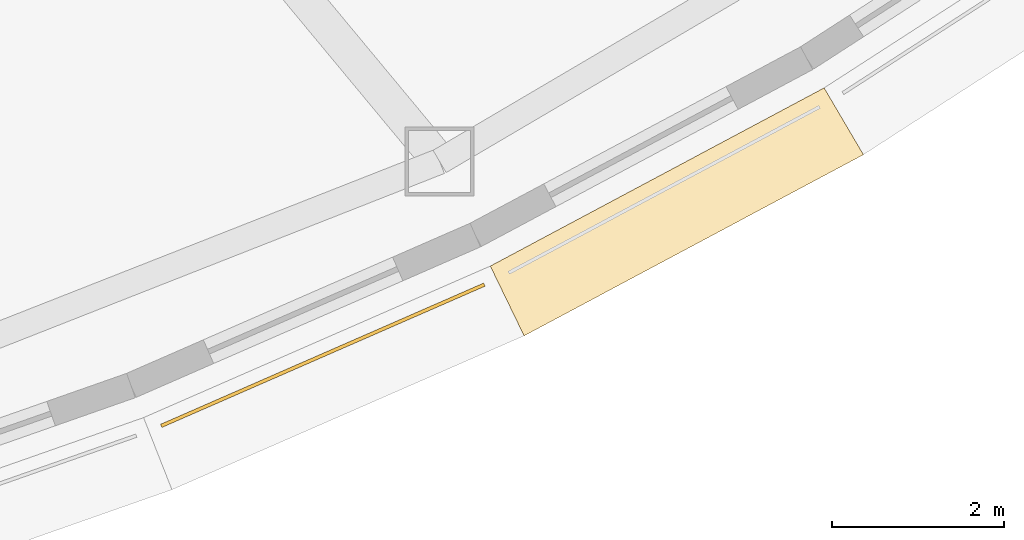
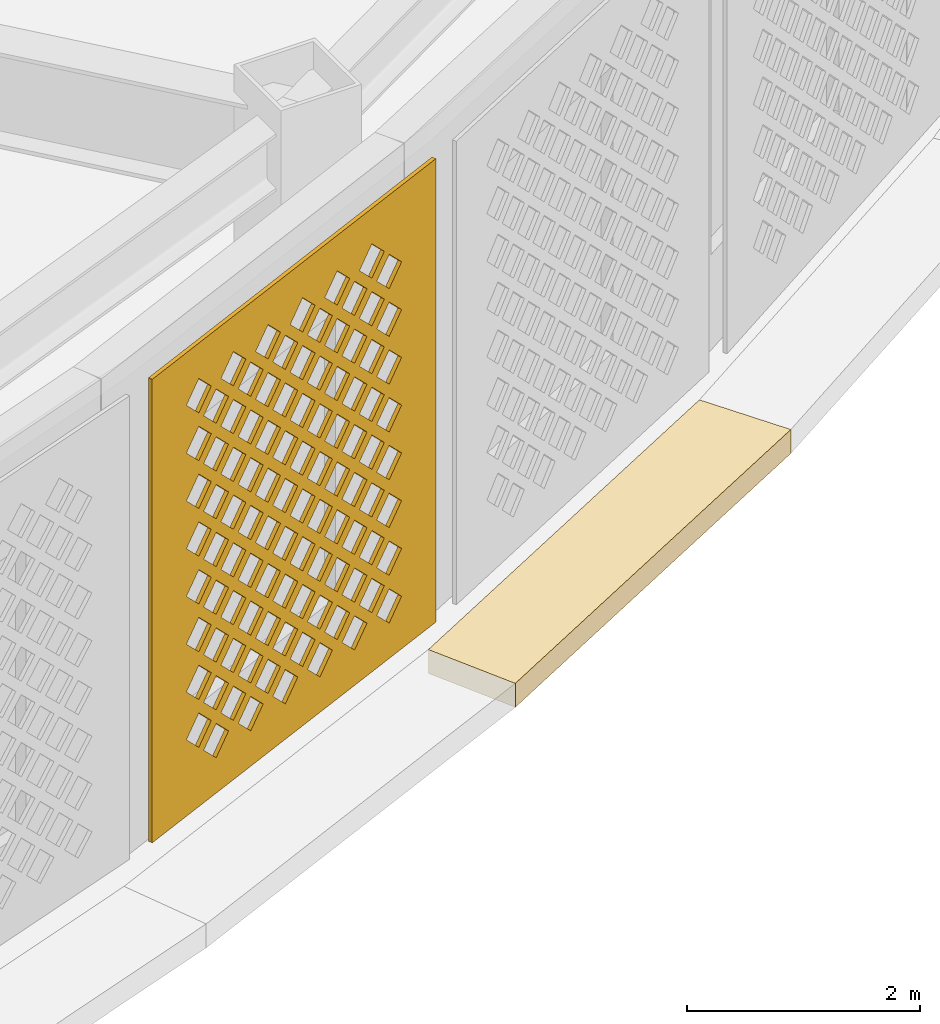
# One storey, part 53 of 63: 2 coverings.
"""IFC4 building model written with IfcOpenShell, lengths in metres."""

from ifc_helpers import new_model, si_unit, direction, frame, origin, place, context, subcontext, project, spatial, polyline, outline, extrude, material, layer, layer_set, type_object, element, save


model = new_model("IFC4")

# Units and contexts
model_context = context("Model", 3, precision=1e-05, world=origin(), true_north=direction((0.0, 1.0)))
body_context = subcontext(model_context, "Body", "Model", "MODEL_VIEW")
ifc_project = project(units=[si_unit("LENGTHUNIT", "METRE"), si_unit("AREAUNIT", "SQUARE_METRE"), si_unit("VOLUMEUNIT", "CUBIC_METRE"), si_unit("PLANEANGLEUNIT", "RADIAN"), si_unit("MASSUNIT", "GRAM", prefix="KILO")], contexts=[model_context])

# Site, building, storey
site_placement = place(None, origin())
site = spatial("IfcSite", under=ifc_project, at=site_placement, CompositionType="ELEMENT")
building_placement = place(site_placement, origin())
building = spatial("IfcBuilding", under=site, at=building_placement, Name="Noorbagh Ring Tower", CompositionType="ELEMENT")
storey_placement = place(building_placement, frame((0.0, 0.0, 25.0)))
storey = spatial("IfcBuildingStorey", under=building, at=storey_placement, Name="L04", CompositionType="ELEMENT", Elevation=25.0)

# Coverings
ifc_material_1 = material(Name="Red sandstone eave", Category="masonry")
covering_type_1 = type_object("IfcCoveringType", Name="STY-CHHAJJA", PredefinedType="USERDEFINED", material=ifc_material_1)
covering_1_placement = place(storey_placement, frame((0.0, 0.0, -0.25)))
element("IfcCovering", 1, at=covering_1_placement, inside=storey, type_object=covering_type_1, Name="Chhajja eave", ObjectType="CHHAJJA", PredefinedType="USERDEFINED", context=body_context, shape_type="SweptSolid", body=[
    extrude(outline(polyline([(27.67578125, -33.864013671875), (31.5546875, -31.793701171875), (32.011474609375, -32.56982421875), (28.068603515625, -34.674560546875), (27.67578125, -33.864013671875)])), origin(), (0.0, 0.0, 1.0), 0.25),
])
ifc_material_2 = material(Name="Red sandstone jali", Category="masonry")
ifc_layer = layer(ifc_material_2, 0.0400390625)
ifc_layer_set = layer_set([ifc_layer], Name="Red sandstone jali")
covering_type_2 = type_object("IfcCoveringType", Name="STY-JALI", PredefinedType="USERDEFINED", material=ifc_layer_set)
covering_2_placement = place(storey_placement, frame((23.860595703125, -35.73876953125, 0.449951171875), z_axis=(0.400468668207, -0.916310452731, 0.0), x_axis=(0.916310452731, 0.400468668207, 0.0)))
element("IfcCovering", 2, at=covering_2_placement, inside=storey, type_object=covering_type_2, Name="Jali screen", ObjectType="SCREEN", PredefinedType="USERDEFINED", context=body_context, shape_type="SweptSolid", body=[
    extrude(outline(polyline([(0.0, 0.0), (4.0966796875, 0.0), (4.0966796875, 4.85009765625), (0.0, 4.85009765625), (0.0, 0.0)]), holes=[polyline([(0.743408203125, 0.550048828125), (0.92333984375, 0.3701171875), (1.103515625, 0.550048828125), (0.92333984375, 0.72998046875), (0.743408203125, 0.550048828125)]), polyline([(1.243408203125, 0.550048828125), (1.42333984375, 0.3701171875), (1.603515625, 0.550048828125), (1.42333984375, 0.72998046875), (1.243408203125, 0.550048828125)]), polyline([(1.743408203125, 0.550048828125), (1.92333984375, 0.3701171875), (2.103515625, 0.550048828125), (1.92333984375, 0.72998046875), (1.743408203125, 0.550048828125)]), polyline([(2.243408203125, 0.550048828125), (2.42333984375, 0.3701171875), (2.603515625, 0.550048828125), (2.42333984375, 0.72998046875), (2.243408203125, 0.550048828125)]), polyline([(2.743408203125, 0.550048828125), (2.92333984375, 0.3701171875), (3.103515625, 0.550048828125), (2.92333984375, 0.72998046875), (2.743408203125, 0.550048828125)]), polyline([(3.243408203125, 0.550048828125), (3.42333984375, 0.3701171875), (3.603515625, 0.550048828125), (3.42333984375, 0.72998046875), (3.243408203125, 0.550048828125)]), polyline([(0.493408203125, 0.800048828125), (0.67333984375, 0.6201171875), (0.853515625, 0.800048828125), (0.67333984375, 0.97998046875), (0.493408203125, 0.800048828125)]), polyline([(0.993408203125, 0.800048828125), (1.17333984375, 0.6201171875), (1.353515625, 0.800048828125), (1.17333984375, 0.97998046875), (0.993408203125, 0.800048828125)]), polyline([(1.493408203125, 0.800048828125), (1.67333984375, 0.6201171875), (1.853515625, 0.800048828125), (1.67333984375, 0.97998046875), (1.493408203125, 0.800048828125)]), polyline([(1.993408203125, 0.800048828125), (2.17333984375, 0.6201171875), (2.353515625, 0.800048828125), (2.17333984375, 0.97998046875), (1.993408203125, 0.800048828125)]), polyline([(2.493408203125, 0.800048828125), (2.67333984375, 0.6201171875), (2.853515625, 0.800048828125), (2.67333984375, 0.97998046875), (2.493408203125, 0.800048828125)]), polyline([(2.993408203125, 0.800048828125), (3.17333984375, 0.6201171875), (3.353515625, 0.800048828125), (3.17333984375, 0.97998046875), (2.993408203125, 0.800048828125)]), polyline([(0.743408203125, 1.050048828125), (0.92333984375, 0.8701171875), (1.103515625, 1.050048828125), (0.92333984375, 1.22998046875), (0.743408203125, 1.050048828125)]), polyline([(1.243408203125, 1.050048828125), (1.42333984375, 0.8701171875), (1.603515625, 1.050048828125), (1.42333984375, 1.22998046875), (1.243408203125, 1.050048828125)]), polyline([(1.743408203125, 1.050048828125), (1.92333984375, 0.8701171875), (2.103515625, 1.050048828125), (1.92333984375, 1.22998046875), (1.743408203125, 1.050048828125)]), polyline([(2.243408203125, 1.050048828125), (2.42333984375, 0.8701171875), (2.603515625, 1.050048828125), (2.42333984375, 1.22998046875), (2.243408203125, 1.050048828125)]), polyline([(2.743408203125, 1.050048828125), (2.92333984375, 0.8701171875), (3.103515625, 1.050048828125), (2.92333984375, 1.22998046875), (2.743408203125, 1.050048828125)]), polyline([(3.243408203125, 1.050048828125), (3.42333984375, 0.8701171875), (3.603515625, 1.050048828125), (3.42333984375, 1.22998046875), (3.243408203125, 1.050048828125)]), polyline([(0.493408203125, 1.300048828125), (0.67333984375, 1.1201171875), (0.853515625, 1.300048828125), (0.67333984375, 1.47998046875), (0.493408203125, 1.300048828125)]), polyline([(0.993408203125, 1.300048828125), (1.17333984375, 1.1201171875), (1.353515625, 1.300048828125), (1.17333984375, 1.47998046875), (0.993408203125, 1.300048828125)]), polyline([(1.493408203125, 1.300048828125), (1.67333984375, 1.1201171875), (1.853515625, 1.300048828125), (1.67333984375, 1.47998046875), (1.493408203125, 1.300048828125)]), polyline([(1.993408203125, 1.300048828125), (2.17333984375, 1.1201171875), (2.353515625, 1.300048828125), (2.17333984375, 1.47998046875), (1.993408203125, 1.300048828125)]), polyline([(2.493408203125, 1.300048828125), (2.67333984375, 1.1201171875), (2.853515625, 1.300048828125), (2.67333984375, 1.47998046875), (2.493408203125, 1.300048828125)]), polyline([(2.993408203125, 1.300048828125), (3.17333984375, 1.1201171875), (3.353515625, 1.300048828125), (3.17333984375, 1.47998046875), (2.993408203125, 1.300048828125)]), polyline([(0.743408203125, 1.550048828125), (0.92333984375, 1.3701171875), (1.103515625, 1.550048828125), (0.92333984375, 1.72998046875), (0.743408203125, 1.550048828125)]), polyline([(1.243408203125, 1.550048828125), (1.42333984375, 1.3701171875), (1.603515625, 1.550048828125), (1.42333984375, 1.72998046875), (1.243408203125, 1.550048828125)]), polyline([(1.743408203125, 1.550048828125), (1.92333984375, 1.3701171875), (2.103515625, 1.550048828125), (1.92333984375, 1.72998046875), (1.743408203125, 1.550048828125)]), polyline([(2.243408203125, 1.550048828125), (2.42333984375, 1.3701171875), (2.603515625, 1.550048828125), (2.42333984375, 1.72998046875), (2.243408203125, 1.550048828125)]), polyline([(2.743408203125, 1.550048828125), (2.92333984375, 1.3701171875), (3.103515625, 1.550048828125), (2.92333984375, 1.72998046875), (2.743408203125, 1.550048828125)]), polyline([(3.243408203125, 1.550048828125), (3.42333984375, 1.3701171875), (3.603515625, 1.550048828125), (3.42333984375, 1.72998046875), (3.243408203125, 1.550048828125)]), polyline([(0.493408203125, 1.800048828125), (0.67333984375, 1.6201171875), (0.853515625, 1.800048828125), (0.67333984375, 1.97998046875), (0.493408203125, 1.800048828125)]), polyline([(0.993408203125, 1.800048828125), (1.17333984375, 1.6201171875), (1.353515625, 1.800048828125), (1.17333984375, 1.97998046875), (0.993408203125, 1.800048828125)]), polyline([(1.493408203125, 1.800048828125), (1.67333984375, 1.6201171875), (1.853515625, 1.800048828125), (1.67333984375, 1.97998046875), (1.493408203125, 1.800048828125)]), polyline([(1.993408203125, 1.800048828125), (2.17333984375, 1.6201171875), (2.353515625, 1.800048828125), (2.17333984375, 1.97998046875), (1.993408203125, 1.800048828125)]), polyline([(2.493408203125, 1.800048828125), (2.67333984375, 1.6201171875), (2.853515625, 1.800048828125), (2.67333984375, 1.97998046875), (2.493408203125, 1.800048828125)]), polyline([(2.993408203125, 1.800048828125), (3.17333984375, 1.6201171875), (3.353515625, 1.800048828125), (3.17333984375, 1.97998046875), (2.993408203125, 1.800048828125)]), polyline([(0.743408203125, 2.050048828125), (0.92333984375, 1.8701171875), (1.103515625, 2.050048828125), (0.92333984375, 2.22998046875), (0.743408203125, 2.050048828125)]), polyline([(1.243408203125, 2.050048828125), (1.42333984375, 1.8701171875), (1.603515625, 2.050048828125), (1.42333984375, 2.22998046875), (1.243408203125, 2.050048828125)]), polyline([(1.743408203125, 2.050048828125), (1.92333984375, 1.8701171875), (2.103515625, 2.050048828125), (1.92333984375, 2.22998046875), (1.743408203125, 2.050048828125)]), polyline([(2.243408203125, 2.050048828125), (2.42333984375, 1.8701171875), (2.603515625, 2.050048828125), (2.42333984375, 2.22998046875), (2.243408203125, 2.050048828125)]), polyline([(2.743408203125, 2.050048828125), (2.92333984375, 1.8701171875), (3.103515625, 2.050048828125), (2.92333984375, 2.22998046875), (2.743408203125, 2.050048828125)]), polyline([(3.243408203125, 2.050048828125), (3.42333984375, 1.8701171875), (3.603515625, 2.050048828125), (3.42333984375, 2.22998046875), (3.243408203125, 2.050048828125)]), polyline([(0.493408203125, 2.300048828125), (0.67333984375, 2.1201171875), (0.853515625, 2.300048828125), (0.67333984375, 2.47998046875), (0.493408203125, 2.300048828125)]), polyline([(0.993408203125, 2.300048828125), (1.17333984375, 2.1201171875), (1.353515625, 2.300048828125), (1.17333984375, 2.47998046875), (0.993408203125, 2.300048828125)]), polyline([(1.493408203125, 2.300048828125), (1.67333984375, 2.1201171875), (1.853515625, 2.300048828125), (1.67333984375, 2.47998046875), (1.493408203125, 2.300048828125)]), polyline([(1.993408203125, 2.300048828125), (2.17333984375, 2.1201171875), (2.353515625, 2.300048828125), (2.17333984375, 2.47998046875), (1.993408203125, 2.300048828125)]), polyline([(2.493408203125, 2.300048828125), (2.67333984375, 2.1201171875), (2.853515625, 2.300048828125), (2.67333984375, 2.47998046875), (2.493408203125, 2.300048828125)]), polyline([(2.993408203125, 2.300048828125), (3.17333984375, 2.1201171875), (3.353515625, 2.300048828125), (3.17333984375, 2.47998046875), (2.993408203125, 2.300048828125)]), polyline([(0.743408203125, 2.550048828125), (0.92333984375, 2.3701171875), (1.103515625, 2.550048828125), (0.92333984375, 2.72998046875), (0.743408203125, 2.550048828125)]), polyline([(1.243408203125, 2.550048828125), (1.42333984375, 2.3701171875), (1.603515625, 2.550048828125), (1.42333984375, 2.72998046875), (1.243408203125, 2.550048828125)]), polyline([(1.743408203125, 2.550048828125), (1.92333984375, 2.3701171875), (2.103515625, 2.550048828125), (1.92333984375, 2.72998046875), (1.743408203125, 2.550048828125)]), polyline([(2.243408203125, 2.550048828125), (2.42333984375, 2.3701171875), (2.603515625, 2.550048828125), (2.42333984375, 2.72998046875), (2.243408203125, 2.550048828125)]), polyline([(2.743408203125, 2.550048828125), (2.92333984375, 2.3701171875), (3.103515625, 2.550048828125), (2.92333984375, 2.72998046875), (2.743408203125, 2.550048828125)]), polyline([(3.243408203125, 2.550048828125), (3.42333984375, 2.3701171875), (3.603515625, 2.550048828125), (3.42333984375, 2.72998046875), (3.243408203125, 2.550048828125)]), polyline([(0.493408203125, 2.800048828125), (0.67333984375, 2.6201171875), (0.853515625, 2.800048828125), (0.67333984375, 2.97998046875), (0.493408203125, 2.800048828125)]), polyline([(0.993408203125, 2.800048828125), (1.17333984375, 2.6201171875), (1.353515625, 2.800048828125), (1.17333984375, 2.97998046875), (0.993408203125, 2.800048828125)]), polyline([(1.493408203125, 2.800048828125), (1.67333984375, 2.6201171875), (1.853515625, 2.800048828125), (1.67333984375, 2.97998046875), (1.493408203125, 2.800048828125)]), polyline([(1.993408203125, 2.800048828125), (2.17333984375, 2.6201171875), (2.353515625, 2.800048828125), (2.17333984375, 2.97998046875), (1.993408203125, 2.800048828125)]), polyline([(2.493408203125, 2.800048828125), (2.67333984375, 2.6201171875), (2.853515625, 2.800048828125), (2.67333984375, 2.97998046875), (2.493408203125, 2.800048828125)]), polyline([(2.993408203125, 2.800048828125), (3.17333984375, 2.6201171875), (3.353515625, 2.800048828125), (3.17333984375, 2.97998046875), (2.993408203125, 2.800048828125)]), polyline([(0.743408203125, 3.050048828125), (0.92333984375, 2.8701171875), (1.103515625, 3.050048828125), (0.92333984375, 3.22998046875), (0.743408203125, 3.050048828125)]), polyline([(1.243408203125, 3.050048828125), (1.42333984375, 2.8701171875), (1.603515625, 3.050048828125), (1.42333984375, 3.22998046875), (1.243408203125, 3.050048828125)]), polyline([(1.743408203125, 3.050048828125), (1.92333984375, 2.8701171875), (2.103515625, 3.050048828125), (1.92333984375, 3.22998046875), (1.743408203125, 3.050048828125)]), polyline([(2.243408203125, 3.050048828125), (2.42333984375, 2.8701171875), (2.603515625, 3.050048828125), (2.42333984375, 3.22998046875), (2.243408203125, 3.050048828125)]), polyline([(2.743408203125, 3.050048828125), (2.92333984375, 2.8701171875), (3.103515625, 3.050048828125), (2.92333984375, 3.22998046875), (2.743408203125, 3.050048828125)]), polyline([(3.243408203125, 3.050048828125), (3.42333984375, 2.8701171875), (3.603515625, 3.050048828125), (3.42333984375, 3.22998046875), (3.243408203125, 3.050048828125)]), polyline([(0.493408203125, 3.300048828125), (0.67333984375, 3.1201171875), (0.853515625, 3.300048828125), (0.67333984375, 3.47998046875), (0.493408203125, 3.300048828125)]), polyline([(0.993408203125, 3.300048828125), (1.17333984375, 3.1201171875), (1.353515625, 3.300048828125), (1.17333984375, 3.47998046875), (0.993408203125, 3.300048828125)]), polyline([(1.493408203125, 3.300048828125), (1.67333984375, 3.1201171875), (1.853515625, 3.300048828125), (1.67333984375, 3.47998046875), (1.493408203125, 3.300048828125)]), polyline([(1.993408203125, 3.300048828125), (2.17333984375, 3.1201171875), (2.353515625, 3.300048828125), (2.17333984375, 3.47998046875), (1.993408203125, 3.300048828125)]), polyline([(2.493408203125, 3.300048828125), (2.67333984375, 3.1201171875), (2.853515625, 3.300048828125), (2.67333984375, 3.47998046875), (2.493408203125, 3.300048828125)]), polyline([(2.993408203125, 3.300048828125), (3.17333984375, 3.1201171875), (3.353515625, 3.300048828125), (3.17333984375, 3.47998046875), (2.993408203125, 3.300048828125)]), polyline([(0.743408203125, 3.550048828125), (0.92333984375, 3.3701171875), (1.103515625, 3.550048828125), (0.92333984375, 3.72998046875), (0.743408203125, 3.550048828125)]), polyline([(1.243408203125, 3.550048828125), (1.42333984375, 3.3701171875), (1.603515625, 3.550048828125), (1.42333984375, 3.72998046875), (1.243408203125, 3.550048828125)]), polyline([(1.743408203125, 3.550048828125), (1.92333984375, 3.3701171875), (2.103515625, 3.550048828125), (1.92333984375, 3.72998046875), (1.743408203125, 3.550048828125)]), polyline([(2.243408203125, 3.550048828125), (2.42333984375, 3.3701171875), (2.603515625, 3.550048828125), (2.42333984375, 3.72998046875), (2.243408203125, 3.550048828125)]), polyline([(2.743408203125, 3.550048828125), (2.92333984375, 3.3701171875), (3.103515625, 3.550048828125), (2.92333984375, 3.72998046875), (2.743408203125, 3.550048828125)]), polyline([(3.243408203125, 3.550048828125), (3.42333984375, 3.3701171875), (3.603515625, 3.550048828125), (3.42333984375, 3.72998046875), (3.243408203125, 3.550048828125)]), polyline([(0.493408203125, 3.800048828125), (0.67333984375, 3.6201171875), (0.853515625, 3.800048828125), (0.67333984375, 3.97998046875), (0.493408203125, 3.800048828125)]), polyline([(0.993408203125, 3.800048828125), (1.17333984375, 3.6201171875), (1.353515625, 3.800048828125), (1.17333984375, 3.97998046875), (0.993408203125, 3.800048828125)]), polyline([(1.493408203125, 3.800048828125), (1.67333984375, 3.6201171875), (1.853515625, 3.800048828125), (1.67333984375, 3.97998046875), (1.493408203125, 3.800048828125)]), polyline([(1.993408203125, 3.800048828125), (2.17333984375, 3.6201171875), (2.353515625, 3.800048828125), (2.17333984375, 3.97998046875), (1.993408203125, 3.800048828125)]), polyline([(2.493408203125, 3.800048828125), (2.67333984375, 3.6201171875), (2.853515625, 3.800048828125), (2.67333984375, 3.97998046875), (2.493408203125, 3.800048828125)]), polyline([(2.993408203125, 3.800048828125), (3.17333984375, 3.6201171875), (3.353515625, 3.800048828125), (3.17333984375, 3.97998046875), (2.993408203125, 3.800048828125)]), polyline([(0.743408203125, 4.050048828125), (0.92333984375, 3.8701171875), (1.103515625, 4.050048828125), (0.92333984375, 4.22998046875), (0.743408203125, 4.050048828125)]), polyline([(1.243408203125, 4.050048828125), (1.42333984375, 3.8701171875), (1.603515625, 4.050048828125), (1.42333984375, 4.22998046875), (1.243408203125, 4.050048828125)]), polyline([(1.743408203125, 4.050048828125), (1.92333984375, 3.8701171875), (2.103515625, 4.050048828125), (1.92333984375, 4.22998046875), (1.743408203125, 4.050048828125)]), polyline([(2.243408203125, 4.050048828125), (2.42333984375, 3.8701171875), (2.603515625, 4.050048828125), (2.42333984375, 4.22998046875), (2.243408203125, 4.050048828125)]), polyline([(2.743408203125, 4.050048828125), (2.92333984375, 3.8701171875), (3.103515625, 4.050048828125), (2.92333984375, 4.22998046875), (2.743408203125, 4.050048828125)]), polyline([(3.243408203125, 4.050048828125), (3.42333984375, 3.8701171875), (3.603515625, 4.050048828125), (3.42333984375, 4.22998046875), (3.243408203125, 4.050048828125)]), polyline([(0.493408203125, 4.300048828125), (0.67333984375, 4.1201171875), (0.853515625, 4.300048828125), (0.67333984375, 4.47998046875), (0.493408203125, 4.300048828125)]), polyline([(0.993408203125, 4.300048828125), (1.17333984375, 4.1201171875), (1.353515625, 4.300048828125), (1.17333984375, 4.47998046875), (0.993408203125, 4.300048828125)]), polyline([(1.493408203125, 4.300048828125), (1.67333984375, 4.1201171875), (1.853515625, 4.300048828125), (1.67333984375, 4.47998046875), (1.493408203125, 4.300048828125)]), polyline([(1.993408203125, 4.300048828125), (2.17333984375, 4.1201171875), (2.353515625, 4.300048828125), (2.17333984375, 4.47998046875), (1.993408203125, 4.300048828125)]), polyline([(2.493408203125, 4.300048828125), (2.67333984375, 4.1201171875), (2.853515625, 4.300048828125), (2.67333984375, 4.47998046875), (2.493408203125, 4.300048828125)]), polyline([(2.993408203125, 4.300048828125), (3.17333984375, 4.1201171875), (3.353515625, 4.300048828125), (3.17333984375, 4.47998046875), (2.993408203125, 4.300048828125)])]), origin(), (0.0, 0.0, -1.0), 0.0400390625),
])

save(model, "model.ifc")
